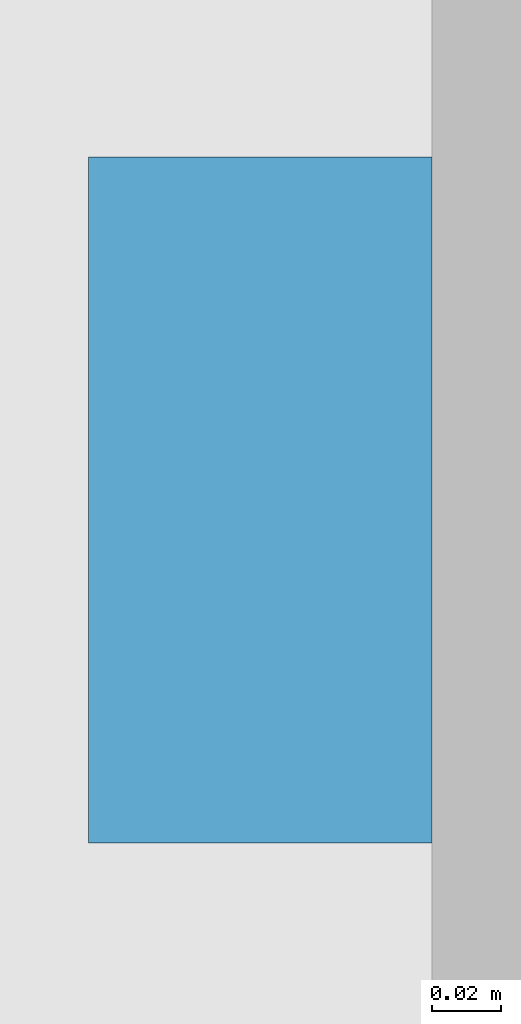
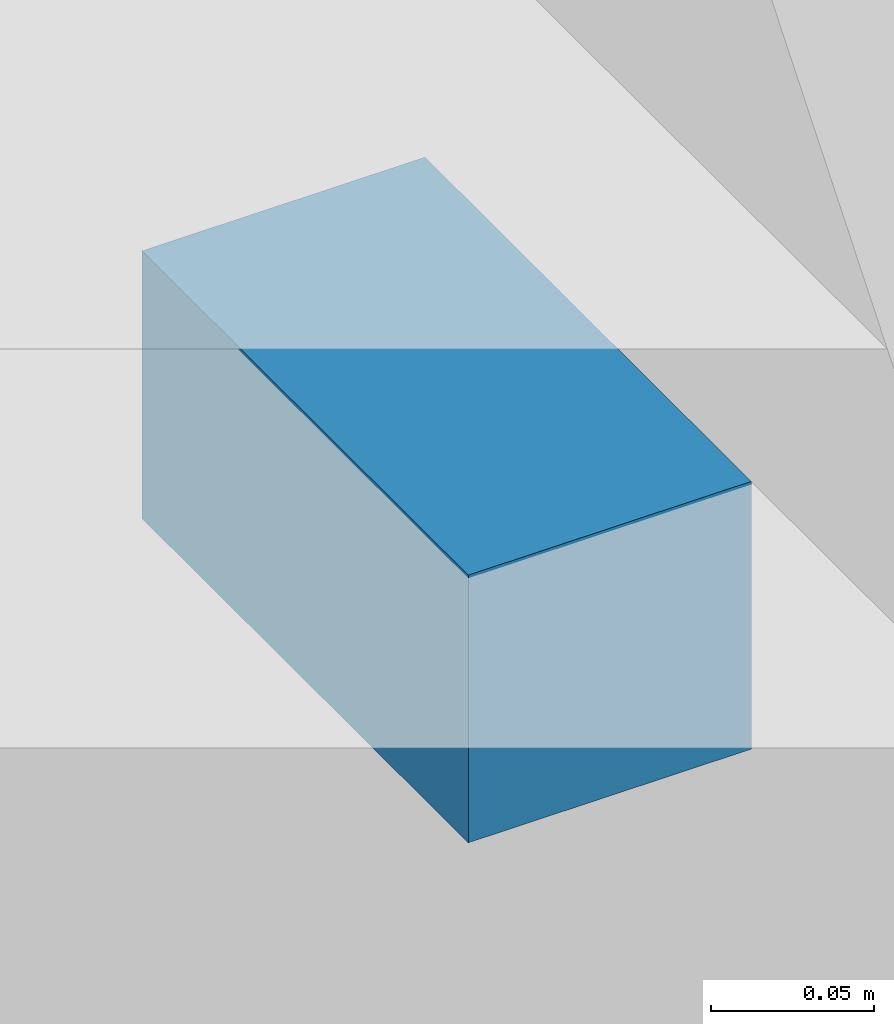
# One storey, part 15 of 16: 1 discrete accessory.
"""IFC4 building model written with IfcOpenShell, lengths in metres."""

from ifc_helpers import new_model, si_unit, direction, frame, origin, origin_2d, place, context, subcontext, project, spatial, rectangle, extrude, element, save


model = new_model("IFC4")

# Units and contexts
model_context = context("Model", 3, precision=1e-05, world=origin(), true_north=direction((0.0, 1.0)))
body_context = subcontext(model_context, "Body", "Model", "MODEL_VIEW")
ifc_project = project(units=[si_unit("LENGTHUNIT", "METRE"), si_unit("AREAUNIT", "SQUARE_METRE"), si_unit("VOLUMEUNIT", "CUBIC_METRE"), si_unit("PLANEANGLEUNIT", "RADIAN"), si_unit("MASSUNIT", "GRAM", prefix="KILO")], contexts=[model_context])

# Site, building, storey
site_placement = place(None, origin())
site = spatial("IfcSite", under=ifc_project, at=site_placement, CompositionType="ELEMENT")
building_placement = place(site_placement, origin())
building = spatial("IfcBuilding", under=site, at=building_placement, Name="Calvaro Tower", CompositionType="ELEMENT")
storey_placement = place(building_placement, frame((0.0, 0.0, 181.75)))
storey = spatial("IfcBuildingStorey", under=building, at=storey_placement, Name="L45", CompositionType="ELEMENT", Elevation=181.75)

# Discrete accessory
discrete_accessory_placement = place(storey_placement, frame((65.5, 3.60009765625, 2.349853515625), z_axis=(0.0, 0.0, 1.0), x_axis=(1.0, 0.0, 0.0)))
element("IfcDiscreteAccessory", 1, at=discrete_accessory_placement, inside=storey, Name="Brise-soleil bracket", PredefinedType="BRACKET", context=body_context, shape_type="SweptSolid", body=[
    extrude(rectangle(XDim=0.10009765625, YDim=0.199951171875, at=origin_2d()), origin(), (0.0, 0.0, 1.0), 0.10009765625),
])

save(model, "model.ifc")
